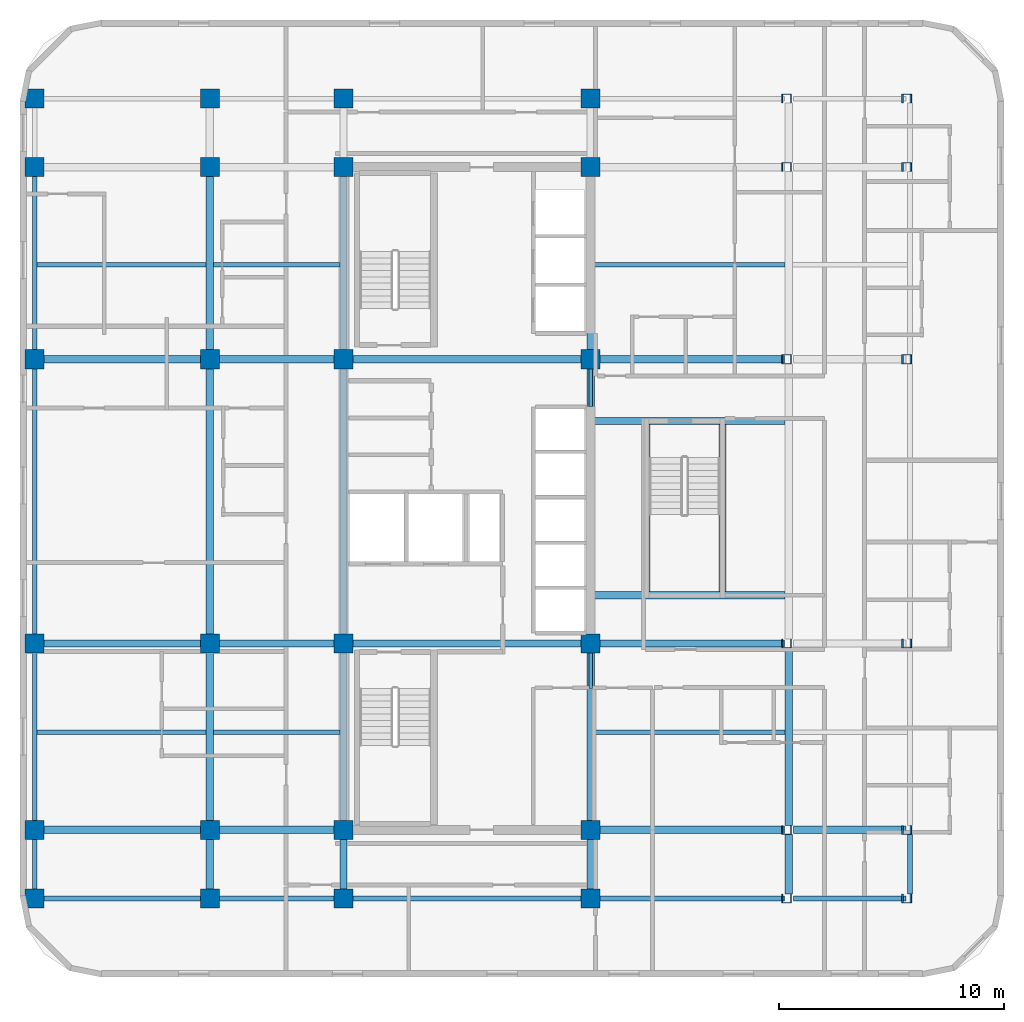
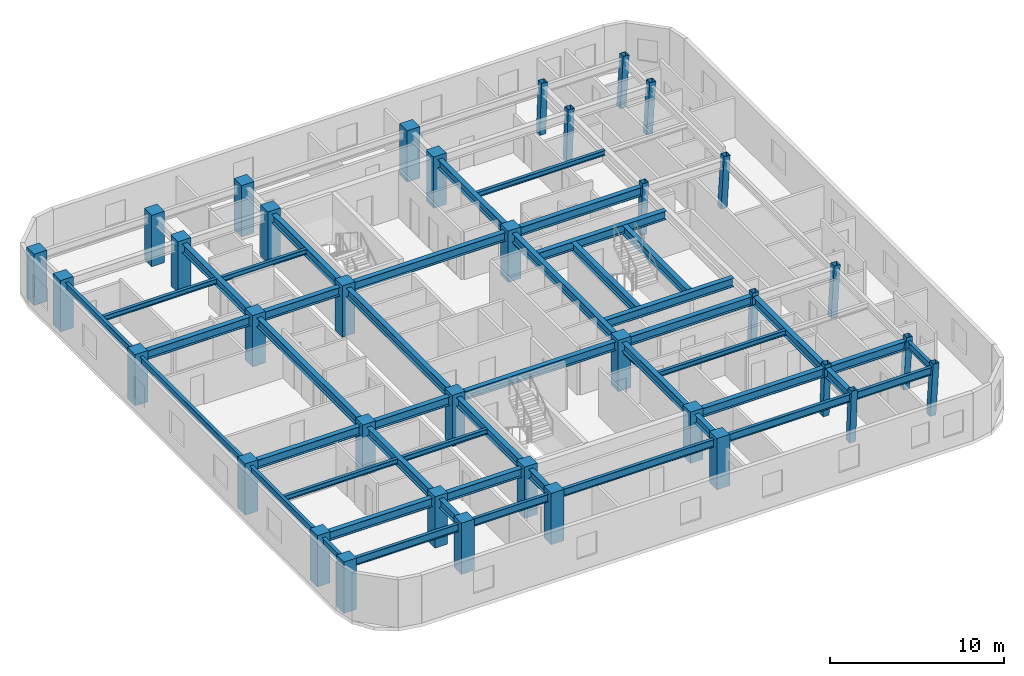
# One storey, part 1 of 9: 48 beams, 36 columns.
"""IFC4 building model written with IfcOpenShell, lengths in metres."""

from ifc_helpers import new_model, si_unit, direction, frame, origin, origin_2d, place, context, subcontext, project, spatial, rectangle, hollow_rectangle, i_section, extrude, material, material_profile, profile_set, type_object, element, save


model = new_model("IFC4")

# Units and contexts
model_context = context("Model", 3, precision=1e-05, world=origin(), true_north=direction((0.0, 1.0)))
body_context = subcontext(model_context, "Body", "Model", "MODEL_VIEW")
ifc_project = project(units=[si_unit("LENGTHUNIT", "METRE"), si_unit("AREAUNIT", "SQUARE_METRE"), si_unit("VOLUMEUNIT", "CUBIC_METRE"), si_unit("PLANEANGLEUNIT", "RADIAN"), si_unit("MASSUNIT", "GRAM", prefix="KILO")], contexts=[model_context])

# Site, building, storey
site_placement = place(None, origin())
site = spatial("IfcSite", under=ifc_project, at=site_placement, CompositionType="ELEMENT")
building_placement = place(site_placement, origin())
building = spatial("IfcBuilding", under=site, at=building_placement, Name="Ochreholt Gables", CompositionType="ELEMENT")
storey_placement = place(building_placement, frame((0.0, 0.0, 113.39990234375)))
storey = spatial("IfcBuildingStorey", under=building, at=storey_placement, Name="L29", CompositionType="ELEMENT", Elevation=113.39990234375)

# Columns
ifc_material_1 = material(Name="Steel CSA G40.21 350W", Category="steel")
ifc_material_profile_1 = material_profile(ifc_material_1, hollow_rectangle(XDim=0.406005859375, YDim=0.406005859375, WallThickness=0.01611328125, at=origin_2d()), Name="HSS406X406X16")
ifc_profile_set_1 = profile_set([ifc_material_profile_1], Name="Steel CSA G40.21 350W")
column_type_1 = type_object("IfcColumnType", Name="COL-HSS406-RAK", PredefinedType="COLUMN", material=ifc_profile_set_1)
for number, where, z_axis, x_axis, name in (
    (1, (43.905029296875, 9.25, 0.0), (0.034971136209, 0.0, 0.999388322742), (0.0, 1.0, 0.0), "L29 Column EMY2"),
    (2, (43.905029296875, 17.550048828125, 0.0), (0.034971136209, 0.0, 0.999388322742), (0.0, 1.0, 0.0), "L29 Column EMY3"),
    (3, (43.905029296875, 30.199951171875, 0.0), (0.034971136209, 0.0, 0.999388322742), (0.0, 1.0, 0.0), "L29 Column EMY4"),
    (4, (43.905029296875, 38.75, 0.0), (0.034971136209, 0.0, 0.999388322742), (0.0, 1.0, 0.0), "L29 Column EMY5"),
):
    element("IfcColumn", number, at=place(storey_placement, frame(where, z_axis=z_axis, x_axis=x_axis)), inside=storey, type_object=column_type_1, Name=name, PredefinedType="COLUMN", context=body_context, shape_type="SweptSolid", body=[
        extrude(hollow_rectangle(XDim=0.406005859375, YDim=0.406005859375, WallThickness=0.01611328125, at=origin_2d()), origin(), (0.0, 0.0, 1.0), 3.602294921875),
    ])
ifc_material_profile_2 = material_profile(ifc_material_1, hollow_rectangle(XDim=0.406005859375, YDim=0.406005859375, WallThickness=0.01611328125, at=origin_2d()), Name="HSS406X406X16")
ifc_profile_set_2 = profile_set([ifc_material_profile_2], Name="Steel CSA G40.21 350W")
column_type_2 = type_object("IfcColumnType", Name="COL-HSS406-RAKE", PredefinedType="COLUMN", material=ifc_profile_set_2)
for number, where, z_axis, x_axis, name in (
    (5, (43.905029296875, 6.199951171875, 0.0), (0.034971136209, 0.0, 0.999388322742), (0.0, 1.0, 0.0), "L29 Column EMY1"),
    (6, (43.905029296875, 41.800048828125, 0.0), (0.034971136209, 0.0, 0.999388322742), (0.0, 1.0, 0.0), "L29 Column EMY6"),
):
    element("IfcColumn", number, at=place(storey_placement, frame(where, z_axis=z_axis, x_axis=x_axis)), inside=storey, type_object=column_type_2, Name=name, PredefinedType="COLUMN", context=body_context, shape_type="SweptSolid", body=[
        extrude(hollow_rectangle(XDim=0.406005859375, YDim=0.406005859375, WallThickness=0.01611328125, at=origin_2d()), origin(), (0.0, 0.0, 1.0), 3.602294921875),
    ])
for number, where, z_axis, x_axis, name in (
    (7, (49.23388671875, 6.199951171875, 0.0), (0.057952080376, 0.0, 0.998319365925), (0.0, 1.0, 0.0), "L29 Column EEY1"),
    (8, (49.23388671875, 9.25, 0.0), (0.057952080376, 0.0, 0.998319365925), (0.0, 1.0, 0.0), "L29 Column EEY2"),
    (9, (49.23388671875, 17.550048828125, 0.0), (0.057952080376, 0.0, 0.998319365925), (0.0, 1.0, 0.0), "L29 Column EEY3"),
    (10, (49.23388671875, 30.199951171875, 0.0), (0.057952080376, 0.0, 0.998319365925), (0.0, 1.0, 0.0), "L29 Column EEY4"),
    (11, (49.23388671875, 38.75, 0.0), (0.057952080376, 0.0, 0.998319365925), (0.0, 1.0, 0.0), "L29 Column EEY5"),
    (12, (49.23388671875, 41.800048828125, 0.0), (0.057952080376, 0.0, 0.998319365925), (0.0, 1.0, 0.0), "L29 Column EEY6"),
):
    element("IfcColumn", number, at=place(storey_placement, frame(where, z_axis=z_axis, x_axis=x_axis)), inside=storey, type_object=column_type_2, Name=name, PredefinedType="COLUMN", context=body_context, shape_type="SweptSolid", body=[
        extrude(hollow_rectangle(XDim=0.406005859375, YDim=0.406005859375, WallThickness=0.01611328125, at=origin_2d()), origin(), (0.0, 0.0, 1.0), 3.606201171875),
    ])
ifc_material_2 = material(Name="Concrete 60 MPa", Category="concrete")
ifc_material_profile_3 = material_profile(ifc_material_2, rectangle(XDim=0.85009765625, YDim=0.85009765625, at=origin_2d()), Name="RC850X850")
ifc_profile_set_3 = profile_set([ifc_material_profile_3], Name="Concrete 60 MPa")
column_type_3 = type_object("IfcColumnType", Name="COL-RC850-EXT", PredefinedType="COLUMN", material=ifc_profile_set_3)
for number, where, z_axis, x_axis, name in (
    (13, (10.449951171875, 6.199951171875, 0.0), (0.0, 0.0, 1.0), (1.0, 0.0, 0.0), "L29 Column W2Y1"),
    (14, (10.449951171875, 9.25, 0.0), (0.0, 0.0, 1.0), (1.0, 0.0, 0.0), "L29 Column W2Y2"),
    (15, (10.449951171875, 17.550048828125, 0.0), (0.0, 0.0, 1.0), (1.0, 0.0, 0.0), "L29 Column W2Y3"),
    (16, (10.449951171875, 30.199951171875, 0.0), (0.0, 0.0, 1.0), (1.0, 0.0, 0.0), "L29 Column W2Y4"),
    (17, (10.449951171875, 38.75, 0.0), (0.0, 0.0, 1.0), (1.0, 0.0, 0.0), "L29 Column W2Y5"),
    (18, (10.449951171875, 41.800048828125, 0.0), (0.0, 0.0, 1.0), (1.0, 0.0, 0.0), "L29 Column W2Y6"),
    (19, (18.25, 6.199951171875, 0.0), (0.0, 0.0, 1.0), (1.0, 0.0, 0.0), "L29 Column W3Y1"),
    (20, (18.25, 41.800048828125, 0.0), (0.0, 0.0, 1.0), (1.0, 0.0, 0.0), "L29 Column W3Y6"),
    (21, (24.199951171875, 6.199951171875, 0.0), (0.0, 0.0, 1.0), (1.0, 0.0, 0.0), "L29 Column C1Y1"),
    (22, (24.199951171875, 41.800048828125, 0.0), (0.0, 0.0, 1.0), (1.0, 0.0, 0.0), "L29 Column C1Y6"),
    (23, (35.199951171875, 6.199951171875, 0.0), (0.0, 0.0, 1.0), (1.0, 0.0, 0.0), "L29 Column C2Y1"),
    (24, (35.199951171875, 41.800048828125, 0.0), (0.0, 0.0, 1.0), (1.0, 0.0, 0.0), "L29 Column C2Y6"),
):
    element("IfcColumn", number, at=place(storey_placement, frame(where, z_axis=z_axis, x_axis=x_axis)), inside=storey, type_object=column_type_3, Name=name, PredefinedType="COLUMN", context=body_context, shape_type="SweptSolid", body=[
        extrude(rectangle(XDim=0.85009765625, YDim=0.85009765625, at=origin_2d()), origin(), (0.0, 0.0, 1.0), 3.60009765625),
    ])
ifc_material_profile_4 = material_profile(ifc_material_2, rectangle(XDim=0.85009765625, YDim=0.85009765625, at=origin_2d()), Name="RC850X850")
ifc_profile_set_4 = profile_set([ifc_material_profile_4], Name="Concrete 60 MPa")
column_type_4 = type_object("IfcColumnType", Name="COL-RC850-INT", PredefinedType="COLUMN", material=ifc_profile_set_4)
for number, where, z_axis, x_axis, name in (
    (25, (18.25, 9.25, 0.0), (0.0, 0.0, 1.0), (1.0, 0.0, 0.0), "L29 Column W3Y2"),
    (26, (18.25, 17.550048828125, 0.0), (0.0, 0.0, 1.0), (1.0, 0.0, 0.0), "L29 Column W3Y3"),
    (27, (18.25, 30.199951171875, 0.0), (0.0, 0.0, 1.0), (1.0, 0.0, 0.0), "L29 Column W3Y4"),
    (28, (18.25, 38.75, 0.0), (0.0, 0.0, 1.0), (1.0, 0.0, 0.0), "L29 Column W3Y5"),
    (29, (24.199951171875, 9.25, 0.0), (0.0, 0.0, 1.0), (1.0, 0.0, 0.0), "L29 Column C1Y2"),
    (30, (24.199951171875, 17.550048828125, 0.0), (0.0, 0.0, 1.0), (1.0, 0.0, 0.0), "L29 Column C1Y3"),
    (31, (24.199951171875, 30.199951171875, 0.0), (0.0, 0.0, 1.0), (1.0, 0.0, 0.0), "L29 Column C1Y4"),
    (32, (24.199951171875, 38.75, 0.0), (0.0, 0.0, 1.0), (1.0, 0.0, 0.0), "L29 Column C1Y5"),
    (33, (35.199951171875, 9.25, 0.0), (0.0, 0.0, 1.0), (1.0, 0.0, 0.0), "L29 Column C2Y2"),
    (34, (35.199951171875, 17.550048828125, 0.0), (0.0, 0.0, 1.0), (1.0, 0.0, 0.0), "L29 Column C2Y3"),
    (35, (35.199951171875, 30.199951171875, 0.0), (0.0, 0.0, 1.0), (1.0, 0.0, 0.0), "L29 Column C2Y4"),
    (36, (35.199951171875, 38.75, 0.0), (0.0, 0.0, 1.0), (1.0, 0.0, 0.0), "L29 Column C2Y5"),
):
    element("IfcColumn", number, at=place(storey_placement, frame(where, z_axis=z_axis, x_axis=x_axis)), inside=storey, type_object=column_type_4, Name=name, PredefinedType="COLUMN", context=body_context, shape_type="SweptSolid", body=[
        extrude(rectangle(XDim=0.85009765625, YDim=0.85009765625, at=origin_2d()), origin(), (0.0, 0.0, 1.0), 3.60009765625),
    ])

# Beams
ifc_material_profile_5 = material_profile(ifc_material_1, i_section(OverallWidth=0.323974609375, OverallDepth=0.611083984375, WebThickness=0.0126953125, FlangeThickness=0.01904296875, at=origin_2d()), Name="W610X155")
ifc_profile_set_5 = profile_set([ifc_material_profile_5], Name="Steel CSA G40.21 350W")
beam_type_1 = type_object("IfcBeamType", Name="BM-G-W610A", PredefinedType="BEAM", material=ifc_profile_set_5)
beam_1_placement = place(storey_placement, frame((10.87451171875, 9.25, 3.044677734375), z_axis=(1.0, 0.0, 0.0), x_axis=(0.0, 1.0, 0.0)))
element("IfcBeam", 37, at=beam_1_placement, inside=storey, type_object=beam_type_1, Name="L29 Beam TBG-L29-W2W3-Y2", PredefinedType="BEAM", context=body_context, shape_type="SweptSolid", body=[
    extrude(i_section(OverallWidth=0.323974609375, OverallDepth=0.611083984375, WebThickness=0.0126953125, FlangeThickness=0.01904296875, at=origin_2d()), origin(), (0.0, 0.0, 1.0), 6.950927734375),
])
beam_2_placement = place(storey_placement, frame((18.674560546875, 9.25, 3.044677734375), z_axis=(1.0, 0.0, 0.0), x_axis=(0.0, 1.0, 0.0)))
element("IfcBeam", 38, at=beam_2_placement, inside=storey, type_object=beam_type_1, Name="L29 Beam TBG-L29-W3C1-Y2", PredefinedType="BEAM", context=body_context, shape_type="SweptSolid", body=[
    extrude(i_section(OverallWidth=0.323974609375, OverallDepth=0.611083984375, WebThickness=0.0126953125, FlangeThickness=0.01904296875, at=origin_2d()), origin(), (0.0, 0.0, 1.0), 5.100830078125),
])
beam_3_placement = place(storey_placement, frame((35.62451171875, 9.25, 3.044677734375), z_axis=(1.0, 0.0, 0.0), x_axis=(0.0, 1.0, 0.0)))
element("IfcBeam", 39, at=beam_3_placement, inside=storey, type_object=beam_type_1, Name="L29 Beam TBG-L29-C2EM-Y2", PredefinedType="BEAM", context=body_context, shape_type="SweptSolid", body=[
    extrude(i_section(OverallWidth=0.323974609375, OverallDepth=0.611083984375, WebThickness=0.0126953125, FlangeThickness=0.01904296875, at=origin_2d()), origin(), (0.0, 0.0, 1.0), 8.203857421875),
])
beam_4_placement = place(storey_placement, frame((44.233642578125, 9.25, 3.044677734375), z_axis=(1.0, 0.0, 0.0), x_axis=(0.0, 1.0, 0.0)))
element("IfcBeam", 40, at=beam_4_placement, inside=storey, type_object=beam_type_1, Name="L29 Beam TBG-L29-EMEE-Y2", PredefinedType="BEAM", context=body_context, shape_type="SweptSolid", body=[
    extrude(i_section(OverallWidth=0.323974609375, OverallDepth=0.611083984375, WebThickness=0.0126953125, FlangeThickness=0.01904296875, at=origin_2d()), origin(), (0.0, 0.0, 1.0), 5.006591796875),
])
beam_5_placement = place(storey_placement, frame((10.87451171875, 17.550048828125, 3.044677734375), z_axis=(1.0, 0.0, 0.0), x_axis=(0.0, 1.0, 0.0)))
element("IfcBeam", 41, at=beam_5_placement, inside=storey, type_object=beam_type_1, Name="L29 Beam TBG-L29-W2W3-Y3", PredefinedType="BEAM", context=body_context, shape_type="SweptSolid", body=[
    extrude(i_section(OverallWidth=0.323974609375, OverallDepth=0.611083984375, WebThickness=0.0126953125, FlangeThickness=0.01904296875, at=origin_2d()), origin(), (0.0, 0.0, 1.0), 6.950927734375),
])
beam_6_placement = place(storey_placement, frame((18.674560546875, 17.550048828125, 3.044677734375), z_axis=(1.0, 0.0, 0.0), x_axis=(0.0, 1.0, 0.0)))
element("IfcBeam", 42, at=beam_6_placement, inside=storey, type_object=beam_type_1, Name="L29 Beam TBG-L29-W3C1-Y3", PredefinedType="BEAM", context=body_context, shape_type="SweptSolid", body=[
    extrude(i_section(OverallWidth=0.323974609375, OverallDepth=0.611083984375, WebThickness=0.0126953125, FlangeThickness=0.01904296875, at=origin_2d()), origin(), (0.0, 0.0, 1.0), 5.100830078125),
])
beam_7_placement = place(storey_placement, frame((24.62451171875, 17.550048828125, 3.044677734375), z_axis=(1.0, 0.0, 0.0), x_axis=(0.0, 1.0, 0.0)))
element("IfcBeam", 43, at=beam_7_placement, inside=storey, type_object=beam_type_1, Name="L29 Beam TBG-L29-C1C2-Y3", PredefinedType="BEAM", context=body_context, shape_type="SweptSolid", body=[
    extrude(i_section(OverallWidth=0.323974609375, OverallDepth=0.611083984375, WebThickness=0.0126953125, FlangeThickness=0.01904296875, at=origin_2d()), origin(), (0.0, 0.0, 1.0), 10.15087890625),
])
beam_8_placement = place(storey_placement, frame((35.62451171875, 17.550048828125, 3.044677734375), z_axis=(1.0, 0.0, 0.0), x_axis=(0.0, 1.0, 0.0)))
element("IfcBeam", 44, at=beam_8_placement, inside=storey, type_object=beam_type_1, Name="L29 Beam TBG-L29-C2EM-Y3", PredefinedType="BEAM", context=body_context, shape_type="SweptSolid", body=[
    extrude(i_section(OverallWidth=0.323974609375, OverallDepth=0.611083984375, WebThickness=0.0126953125, FlangeThickness=0.01904296875, at=origin_2d()), origin(), (0.0, 0.0, 1.0), 8.203857421875),
])
beam_9_placement = place(storey_placement, frame((10.87451171875, 30.199951171875, 3.044677734375), z_axis=(1.0, 0.0, 0.0), x_axis=(0.0, 1.0, 0.0)))
element("IfcBeam", 45, at=beam_9_placement, inside=storey, type_object=beam_type_1, Name="L29 Beam TBG-L29-W2W3-Y4", PredefinedType="BEAM", context=body_context, shape_type="SweptSolid", body=[
    extrude(i_section(OverallWidth=0.323974609375, OverallDepth=0.611083984375, WebThickness=0.0126953125, FlangeThickness=0.01904296875, at=origin_2d()), origin(), (0.0, 0.0, 1.0), 6.950927734375),
])
beam_10_placement = place(storey_placement, frame((18.674560546875, 30.199951171875, 3.044677734375), z_axis=(1.0, 0.0, 0.0), x_axis=(0.0, 1.0, 0.0)))
element("IfcBeam", 46, at=beam_10_placement, inside=storey, type_object=beam_type_1, Name="L29 Beam TBG-L29-W3C1-Y4", PredefinedType="BEAM", context=body_context, shape_type="SweptSolid", body=[
    extrude(i_section(OverallWidth=0.323974609375, OverallDepth=0.611083984375, WebThickness=0.0126953125, FlangeThickness=0.01904296875, at=origin_2d()), origin(), (0.0, 0.0, 1.0), 5.100830078125),
])
beam_11_placement = place(storey_placement, frame((24.62451171875, 30.199951171875, 3.044677734375), z_axis=(1.0, 0.0, 0.0), x_axis=(0.0, 1.0, 0.0)))
element("IfcBeam", 47, at=beam_11_placement, inside=storey, type_object=beam_type_1, Name="L29 Beam TBG-L29-C1C2-Y4", PredefinedType="BEAM", context=body_context, shape_type="SweptSolid", body=[
    extrude(i_section(OverallWidth=0.323974609375, OverallDepth=0.611083984375, WebThickness=0.0126953125, FlangeThickness=0.01904296875, at=origin_2d()), origin(), (0.0, 0.0, 1.0), 10.15087890625),
])
beam_12_placement = place(storey_placement, frame((35.62451171875, 30.199951171875, 3.044677734375), z_axis=(1.0, 0.0, 0.0), x_axis=(0.0, 1.0, 0.0)))
element("IfcBeam", 48, at=beam_12_placement, inside=storey, type_object=beam_type_1, Name="L29 Beam TBG-L29-C2EM-Y4", PredefinedType="BEAM", context=body_context, shape_type="SweptSolid", body=[
    extrude(i_section(OverallWidth=0.323974609375, OverallDepth=0.611083984375, WebThickness=0.0126953125, FlangeThickness=0.01904296875, at=origin_2d()), origin(), (0.0, 0.0, 1.0), 8.203857421875),
])
beam_13_placement = place(storey_placement, frame((18.25, 6.62451171875, 3.044677734375), z_axis=(0.0, 1.0, 0.0), x_axis=(-1.0, 0.0, 0.0)))
element("IfcBeam", 49, at=beam_13_placement, inside=storey, type_object=beam_type_1, Name="L29 Beam TBN-L29-W3-Y1Y2", PredefinedType="BEAM", context=body_context, shape_type="SweptSolid", body=[
    extrude(i_section(OverallWidth=0.323974609375, OverallDepth=0.611083984375, WebThickness=0.0126953125, FlangeThickness=0.01904296875, at=origin_2d()), origin(), (0.0, 0.0, 1.0), 2.200927734375),
])
beam_14_placement = place(storey_placement, frame((18.25, 9.674560546875, 3.044677734375), z_axis=(0.0, 1.0, 0.0), x_axis=(-1.0, 0.0, 0.0)))
element("IfcBeam", 50, at=beam_14_placement, inside=storey, type_object=beam_type_1, Name="L29 Beam TBN-L29-W3-Y2Y3", PredefinedType="BEAM", context=body_context, shape_type="SweptSolid", body=[
    extrude(i_section(OverallWidth=0.323974609375, OverallDepth=0.611083984375, WebThickness=0.0126953125, FlangeThickness=0.01904296875, at=origin_2d()), origin(), (0.0, 0.0, 1.0), 7.450927734375),
])
beam_15_placement = place(storey_placement, frame((18.25, 17.974609375, 3.044677734375), z_axis=(0.0, 1.0, 0.0), x_axis=(-1.0, 0.0, 0.0)))
element("IfcBeam", 51, at=beam_15_placement, inside=storey, type_object=beam_type_1, Name="L29 Beam TBN-L29-W3-Y3Y4", PredefinedType="BEAM", context=body_context, shape_type="SweptSolid", body=[
    extrude(i_section(OverallWidth=0.323974609375, OverallDepth=0.611083984375, WebThickness=0.0126953125, FlangeThickness=0.01904296875, at=origin_2d()), origin(), (0.0, 0.0, 1.0), 11.80078125),
])
beam_16_placement = place(storey_placement, frame((18.25, 30.62451171875, 3.044677734375), z_axis=(0.0, 1.0, 0.0), x_axis=(-1.0, 0.0, 0.0)))
element("IfcBeam", 52, at=beam_16_placement, inside=storey, type_object=beam_type_1, Name="L29 Beam TBN-L29-W3-Y4Y5", PredefinedType="BEAM", context=body_context, shape_type="SweptSolid", body=[
    extrude(i_section(OverallWidth=0.323974609375, OverallDepth=0.611083984375, WebThickness=0.0126953125, FlangeThickness=0.01904296875, at=origin_2d()), origin(), (0.0, 0.0, 1.0), 7.700927734375),
])
beam_17_placement = place(storey_placement, frame((24.199951171875, 6.62451171875, 3.044677734375), z_axis=(0.0, 1.0, 0.0), x_axis=(-1.0, 0.0, 0.0)))
element("IfcBeam", 53, at=beam_17_placement, inside=storey, type_object=beam_type_1, Name="L29 Beam TBN-L29-C1-Y1Y2", PredefinedType="BEAM", context=body_context, shape_type="SweptSolid", body=[
    extrude(i_section(OverallWidth=0.323974609375, OverallDepth=0.611083984375, WebThickness=0.0126953125, FlangeThickness=0.01904296875, at=origin_2d()), origin(), (0.0, 0.0, 1.0), 2.200927734375),
])
beam_18_placement = place(storey_placement, frame((24.199951171875, 9.674560546875, 3.044677734375), z_axis=(0.0, 1.0, 0.0), x_axis=(-1.0, 0.0, 0.0)))
element("IfcBeam", 54, at=beam_18_placement, inside=storey, type_object=beam_type_1, Name="L29 Beam TBN-L29-C1-Y2Y3", PredefinedType="BEAM", context=body_context, shape_type="SweptSolid", body=[
    extrude(i_section(OverallWidth=0.323974609375, OverallDepth=0.611083984375, WebThickness=0.0126953125, FlangeThickness=0.01904296875, at=origin_2d()), origin(), (0.0, 0.0, 1.0), 7.450927734375),
])
beam_19_placement = place(storey_placement, frame((24.199951171875, 17.974609375, 3.044677734375), z_axis=(0.0, 1.0, 0.0), x_axis=(-1.0, 0.0, 0.0)))
element("IfcBeam", 55, at=beam_19_placement, inside=storey, type_object=beam_type_1, Name="L29 Beam TBN-L29-C1-Y3Y4", PredefinedType="BEAM", context=body_context, shape_type="SweptSolid", body=[
    extrude(i_section(OverallWidth=0.323974609375, OverallDepth=0.611083984375, WebThickness=0.0126953125, FlangeThickness=0.01904296875, at=origin_2d()), origin(), (0.0, 0.0, 1.0), 11.80078125),
])
beam_20_placement = place(storey_placement, frame((24.199951171875, 30.62451171875, 3.044677734375), z_axis=(0.0, 1.0, 0.0), x_axis=(-1.0, 0.0, 0.0)))
element("IfcBeam", 56, at=beam_20_placement, inside=storey, type_object=beam_type_1, Name="L29 Beam TBN-L29-C1-Y4Y5", PredefinedType="BEAM", context=body_context, shape_type="SweptSolid", body=[
    extrude(i_section(OverallWidth=0.323974609375, OverallDepth=0.611083984375, WebThickness=0.0126953125, FlangeThickness=0.01904296875, at=origin_2d()), origin(), (0.0, 0.0, 1.0), 7.700927734375),
])
beam_21_placement = place(storey_placement, frame((35.199951171875, 6.62451171875, 3.044677734375), z_axis=(0.0, 1.0, 0.0), x_axis=(-1.0, 0.0, 0.0)))
element("IfcBeam", 57, at=beam_21_placement, inside=storey, type_object=beam_type_1, Name="L29 Beam TBN-L29-C2-Y1Y2", PredefinedType="BEAM", context=body_context, shape_type="SweptSolid", body=[
    extrude(i_section(OverallWidth=0.323974609375, OverallDepth=0.611083984375, WebThickness=0.0126953125, FlangeThickness=0.01904296875, at=origin_2d()), origin(), (0.0, 0.0, 1.0), 2.200927734375),
])
beam_22_placement = place(storey_placement, frame((35.199951171875, 9.674560546875, 3.044677734375), z_axis=(0.0, 1.0, 0.0), x_axis=(-1.0, 0.0, 0.0)))
element("IfcBeam", 58, at=beam_22_placement, inside=storey, type_object=beam_type_1, Name="L29 Beam TBN-L29-C2-Y2Y3", PredefinedType="BEAM", context=body_context, shape_type="SweptSolid", body=[
    extrude(i_section(OverallWidth=0.323974609375, OverallDepth=0.611083984375, WebThickness=0.0126953125, FlangeThickness=0.01904296875, at=origin_2d()), origin(), (0.0, 0.0, 1.0), 7.450927734375),
])
beam_23_placement = place(storey_placement, frame((35.199951171875, 17.974609375, 3.044677734375), z_axis=(0.0, 1.0, 0.0), x_axis=(-1.0, 0.0, 0.0)))
element("IfcBeam", 59, at=beam_23_placement, inside=storey, type_object=beam_type_1, Name="L29 Beam TBN-L29-C2-Y3Y4", PredefinedType="BEAM", context=body_context, shape_type="SweptSolid", body=[
    extrude(i_section(OverallWidth=0.323974609375, OverallDepth=0.611083984375, WebThickness=0.0126953125, FlangeThickness=0.01904296875, at=origin_2d()), origin(), (0.0, 0.0, 1.0), 11.80078125),
])
beam_24_placement = place(storey_placement, frame((35.199951171875, 30.62451171875, 3.044677734375), z_axis=(0.0, 1.0, 0.0), x_axis=(-1.0, 0.0, 0.0)))
element("IfcBeam", 60, at=beam_24_placement, inside=storey, type_object=beam_type_1, Name="L29 Beam TBN-L29-C2-Y4Y5", PredefinedType="BEAM", context=body_context, shape_type="SweptSolid", body=[
    extrude(i_section(OverallWidth=0.323974609375, OverallDepth=0.611083984375, WebThickness=0.0126953125, FlangeThickness=0.01904296875, at=origin_2d()), origin(), (0.0, 0.0, 1.0), 7.700927734375),
])
beam_25_placement = place(storey_placement, frame((44.013427734375, 6.402587890625, 3.044677734375), z_axis=(0.0, 1.0, 0.0), x_axis=(-1.0, 0.0, 0.0)))
element("IfcBeam", 61, at=beam_25_placement, inside=storey, type_object=beam_type_1, Name="L29 Beam TBN-L29-EM-Y1Y2", PredefinedType="BEAM", context=body_context, shape_type="SweptSolid", body=[
    extrude(i_section(OverallWidth=0.323974609375, OverallDepth=0.611083984375, WebThickness=0.0126953125, FlangeThickness=0.01904296875, at=origin_2d()), origin(), (0.0, 0.0, 1.0), 2.644775390625),
])
beam_26_placement = place(storey_placement, frame((44.013427734375, 9.45263671875, 3.044677734375), z_axis=(0.0, 1.0, 0.0), x_axis=(-1.0, 0.0, 0.0)))
element("IfcBeam", 62, at=beam_26_placement, inside=storey, type_object=beam_type_1, Name="L29 Beam TBN-L29-EM-Y2Y3", PredefinedType="BEAM", context=body_context, shape_type="SweptSolid", body=[
    extrude(i_section(OverallWidth=0.323974609375, OverallDepth=0.611083984375, WebThickness=0.0126953125, FlangeThickness=0.01904296875, at=origin_2d()), origin(), (0.0, 0.0, 1.0), 7.894775390625),
])
for number, where, z_axis, x_axis, name in (
    (63, (35.361572265625, 19.68994140625, 3.044677734375), (1.0, 0.0, 0.0), (0.0, 1.0, 0.0), "L29 Beam TBH-L29-ST-C3-FSTUS"),
    (64, (35.361572265625, 27.449951171875, 3.044677734375), (1.0, 0.0, 0.0), (0.0, 1.0, 0.0), "L29 Beam TBH-L29-ST-C3-FSTUN"),
):
    element("IfcBeam", number, at=place(storey_placement, frame(where, z_axis=z_axis, x_axis=x_axis)), inside=storey, type_object=beam_type_1, Name=name, PredefinedType="BEAM", context=body_context, shape_type="SweptSolid", body=[
        extrude(i_section(OverallWidth=0.323974609375, OverallDepth=0.611083984375, WebThickness=0.0126953125, FlangeThickness=0.01904296875, at=origin_2d()), origin(), (0.0, 0.0, 1.0), 8.490234375),
    ])
for number, where, z_axis, x_axis, name in (
    (65, (37.68994140625, 19.8515625, 3.044677734375), (0.0, 1.0, 0.0), (-1.0, 0.0, 0.0), "L29 Beam TBT-L29-ST-C3-FSTUW"),
    (66, (41.070068359375, 19.8515625, 3.044677734375), (0.0, 1.0, 0.0), (-1.0, 0.0, 0.0), "L29 Beam TBT-L29-ST-C3-FSTUE"),
):
    element("IfcBeam", number, at=place(storey_placement, frame(where, z_axis=z_axis, x_axis=x_axis)), inside=storey, type_object=beam_type_1, Name=name, PredefinedType="BEAM", context=body_context, shape_type="SweptSolid", body=[
        extrude(i_section(OverallWidth=0.323974609375, OverallDepth=0.611083984375, WebThickness=0.0126953125, FlangeThickness=0.01904296875, at=origin_2d()), origin(), (0.0, 0.0, 1.0), 7.436767578125),
    ])
ifc_material_profile_6 = material_profile(ifc_material_1, i_section(OverallWidth=0.205078125, OverallDepth=0.35400390625, WebThickness=0.009521484375, FlangeThickness=0.016845703125, at=origin_2d()), Name="W360X79")
ifc_profile_set_6 = profile_set([ifc_material_profile_6], Name="Steel CSA G40.21 350W")
beam_type_2 = type_object("IfcBeamType", Name="BM-J-W360A", PredefinedType="JOIST", material=ifc_profile_set_6)
beam_27_placement = place(storey_placement, frame((10.55419921875, 13.60009765625, 3.173095703125), z_axis=(1.0, 0.0, 0.0), x_axis=(0.0, 1.0, 0.0)))
element("IfcBeam", 67, at=beam_27_placement, inside=storey, type_object=beam_type_2, Name="L29 Beam TBJ-L29-J1-W2W3", PredefinedType="JOIST", context=body_context, shape_type="SweptSolid", body=[
    extrude(i_section(OverallWidth=0.205078125, OverallDepth=0.35400390625, WebThickness=0.009521484375, FlangeThickness=0.016845703125, at=origin_2d()), origin(), (0.0, 0.0, 1.0), 7.5341796875),
])
beam_28_placement = place(storey_placement, frame((18.41162109375, 13.60009765625, 3.173095703125), z_axis=(1.0, 0.0, 0.0), x_axis=(0.0, 1.0, 0.0)))
element("IfcBeam", 68, at=beam_28_placement, inside=storey, type_object=beam_type_2, Name="L29 Beam TBJ-L29-J1-W3C1", PredefinedType="JOIST", context=body_context, shape_type="SweptSolid", body=[
    extrude(i_section(OverallWidth=0.205078125, OverallDepth=0.35400390625, WebThickness=0.009521484375, FlangeThickness=0.016845703125, at=origin_2d()), origin(), (0.0, 0.0, 1.0), 5.626708984375),
])
beam_29_placement = place(storey_placement, frame((35.361572265625, 13.60009765625, 3.173095703125), z_axis=(1.0, 0.0, 0.0), x_axis=(0.0, 1.0, 0.0)))
element("IfcBeam", 69, at=beam_29_placement, inside=storey, type_object=beam_type_2, Name="L29 Beam TBJ-L29-J1-C2EM", PredefinedType="JOIST", context=body_context, shape_type="SweptSolid", body=[
    extrude(i_section(OverallWidth=0.205078125, OverallDepth=0.35400390625, WebThickness=0.009521484375, FlangeThickness=0.016845703125, at=origin_2d()), origin(), (0.0, 0.0, 1.0), 8.490234375),
])
beam_30_placement = place(storey_placement, frame((10.55419921875, 34.39990234375, 3.173095703125), z_axis=(1.0, 0.0, 0.0), x_axis=(0.0, 1.0, 0.0)))
element("IfcBeam", 70, at=beam_30_placement, inside=storey, type_object=beam_type_2, Name="L29 Beam TBJ-L29-J2-W2W3", PredefinedType="JOIST", context=body_context, shape_type="SweptSolid", body=[
    extrude(i_section(OverallWidth=0.205078125, OverallDepth=0.35400390625, WebThickness=0.009521484375, FlangeThickness=0.016845703125, at=origin_2d()), origin(), (0.0, 0.0, 1.0), 7.5341796875),
])
beam_31_placement = place(storey_placement, frame((18.41162109375, 34.39990234375, 3.173095703125), z_axis=(1.0, 0.0, 0.0), x_axis=(0.0, 1.0, 0.0)))
element("IfcBeam", 71, at=beam_31_placement, inside=storey, type_object=beam_type_2, Name="L29 Beam TBJ-L29-J2-W3C1", PredefinedType="JOIST", context=body_context, shape_type="SweptSolid", body=[
    extrude(i_section(OverallWidth=0.205078125, OverallDepth=0.35400390625, WebThickness=0.009521484375, FlangeThickness=0.016845703125, at=origin_2d()), origin(), (0.0, 0.0, 1.0), 5.626708984375),
])
beam_32_placement = place(storey_placement, frame((35.361572265625, 34.39990234375, 3.173095703125), z_axis=(1.0, 0.0, 0.0), x_axis=(0.0, 1.0, 0.0)))
element("IfcBeam", 72, at=beam_32_placement, inside=storey, type_object=beam_type_2, Name="L29 Beam TBJ-L29-J2-C2EM", PredefinedType="JOIST", context=body_context, shape_type="SweptSolid", body=[
    extrude(i_section(OverallWidth=0.205078125, OverallDepth=0.35400390625, WebThickness=0.009521484375, FlangeThickness=0.016845703125, at=origin_2d()), origin(), (0.0, 0.0, 1.0), 8.490234375),
])
ifc_material_profile_7 = material_profile(ifc_material_1, i_section(OverallWidth=0.1650390625, OverallDepth=0.200927734375, WebThickness=0.006103515625, FlangeThickness=0.01025390625, at=origin_2d()), Name="W200X36")
ifc_profile_set_7 = profile_set([ifc_material_profile_7], Name="Steel CSA G40.21 350W")
beam_type_3 = type_object("IfcBeamType", Name="BM-LIN-W200", PredefinedType="LINTEL", material=ifc_profile_set_7)
beam_33_placement = place(storey_placement, frame((35.199951171875, 15.550048828125, 2.638671875), z_axis=(0.0, 1.0, 0.0), x_axis=(-1.0, 0.0, 0.0)))
element("IfcBeam", 73, at=beam_33_placement, inside=storey, type_object=beam_type_3, Name="L29 Core Coupling Lintel CPS", PredefinedType="LINTEL", context=body_context, shape_type="SweptSolid", body=[
    extrude(i_section(OverallWidth=0.1650390625, OverallDepth=0.200927734375, WebThickness=0.006103515625, FlangeThickness=0.01025390625, at=origin_2d()), origin(), (0.0, 0.0, 1.0), 1.574951171875),
])
beam_34_placement = place(storey_placement, frame((35.199951171875, 28.10009765625, 2.638671875), z_axis=(0.0, 1.0, 0.0), x_axis=(-1.0, 0.0, 0.0)))
element("IfcBeam", 74, at=beam_34_placement, inside=storey, type_object=beam_type_3, Name="L29 Core Coupling Lintel CPN", PredefinedType="LINTEL", context=body_context, shape_type="SweptSolid", body=[
    extrude(i_section(OverallWidth=0.1650390625, OverallDepth=0.200927734375, WebThickness=0.006103515625, FlangeThickness=0.01025390625, at=origin_2d()), origin(), (0.0, 0.0, 1.0), 1.6748046875),
])
ifc_material_profile_8 = material_profile(ifc_material_1, i_section(OverallWidth=0.208984375, OverallDepth=0.532958984375, WebThickness=0.01025390625, FlangeThickness=0.015625, at=origin_2d()), Name="W530X92")
ifc_profile_set_8 = profile_set([ifc_material_profile_8], Name="Steel CSA G40.21 350W")
beam_type_4 = type_object("IfcBeamType", Name="BM-SP-W530B", PredefinedType="SPANDREL", material=ifc_profile_set_8)
beam_35_placement = place(storey_placement, frame((10.87451171875, 6.199951171875, 3.08349609375), z_axis=(1.0, 0.0, 0.0), x_axis=(0.0, 1.0, 0.0)))
element("IfcBeam", 75, at=beam_35_placement, inside=storey, type_object=beam_type_4, Name="L29 Beam TBG-L29-W2W3-Y1", PredefinedType="SPANDREL", context=body_context, shape_type="SweptSolid", body=[
    extrude(i_section(OverallWidth=0.208984375, OverallDepth=0.532958984375, WebThickness=0.01025390625, FlangeThickness=0.015625, at=origin_2d()), origin(), (0.0, 0.0, 1.0), 6.950927734375),
])
beam_36_placement = place(storey_placement, frame((18.674560546875, 6.199951171875, 3.08349609375), z_axis=(1.0, 0.0, 0.0), x_axis=(0.0, 1.0, 0.0)))
element("IfcBeam", 76, at=beam_36_placement, inside=storey, type_object=beam_type_4, Name="L29 Beam TBG-L29-W3C1-Y1", PredefinedType="SPANDREL", context=body_context, shape_type="SweptSolid", body=[
    extrude(i_section(OverallWidth=0.208984375, OverallDepth=0.532958984375, WebThickness=0.01025390625, FlangeThickness=0.015625, at=origin_2d()), origin(), (0.0, 0.0, 1.0), 5.100830078125),
])
beam_37_placement = place(storey_placement, frame((24.62451171875, 6.199951171875, 3.08349609375), z_axis=(1.0, 0.0, 0.0), x_axis=(0.0, 1.0, 0.0)))
element("IfcBeam", 77, at=beam_37_placement, inside=storey, type_object=beam_type_4, Name="L29 Beam TBG-L29-C1C2-Y1", PredefinedType="SPANDREL", context=body_context, shape_type="SweptSolid", body=[
    extrude(i_section(OverallWidth=0.208984375, OverallDepth=0.532958984375, WebThickness=0.01025390625, FlangeThickness=0.015625, at=origin_2d()), origin(), (0.0, 0.0, 1.0), 10.15087890625),
])
beam_38_placement = place(storey_placement, frame((35.62451171875, 6.199951171875, 3.08349609375), z_axis=(1.0, 0.0, 0.0), x_axis=(0.0, 1.0, 0.0)))
element("IfcBeam", 78, at=beam_38_placement, inside=storey, type_object=beam_type_4, Name="L29 Beam TBG-L29-C2EM-Y1", PredefinedType="SPANDREL", context=body_context, shape_type="SweptSolid", body=[
    extrude(i_section(OverallWidth=0.208984375, OverallDepth=0.532958984375, WebThickness=0.01025390625, FlangeThickness=0.015625, at=origin_2d()), origin(), (0.0, 0.0, 1.0), 8.203857421875),
])
beam_39_placement = place(storey_placement, frame((44.233642578125, 6.199951171875, 3.08349609375), z_axis=(1.0, 0.0, 0.0), x_axis=(0.0, 1.0, 0.0)))
element("IfcBeam", 79, at=beam_39_placement, inside=storey, type_object=beam_type_4, Name="L29 Beam TBG-L29-EMEE-Y1", PredefinedType="SPANDREL", context=body_context, shape_type="SweptSolid", body=[
    extrude(i_section(OverallWidth=0.208984375, OverallDepth=0.532958984375, WebThickness=0.01025390625, FlangeThickness=0.015625, at=origin_2d()), origin(), (0.0, 0.0, 1.0), 5.006591796875),
])
beam_40_placement = place(storey_placement, frame((10.449951171875, 6.62451171875, 3.08349609375), z_axis=(0.0, 1.0, 0.0), x_axis=(-1.0, 0.0, 0.0)))
element("IfcBeam", 80, at=beam_40_placement, inside=storey, type_object=beam_type_4, Name="L29 Beam TBN-L29-W2-Y1Y2", PredefinedType="SPANDREL", context=body_context, shape_type="SweptSolid", body=[
    extrude(i_section(OverallWidth=0.208984375, OverallDepth=0.532958984375, WebThickness=0.01025390625, FlangeThickness=0.015625, at=origin_2d()), origin(), (0.0, 0.0, 1.0), 2.200927734375),
])
beam_41_placement = place(storey_placement, frame((10.449951171875, 9.674560546875, 3.08349609375), z_axis=(0.0, 1.0, 0.0), x_axis=(-1.0, 0.0, 0.0)))
element("IfcBeam", 81, at=beam_41_placement, inside=storey, type_object=beam_type_4, Name="L29 Beam TBN-L29-W2-Y2Y3", PredefinedType="SPANDREL", context=body_context, shape_type="SweptSolid", body=[
    extrude(i_section(OverallWidth=0.208984375, OverallDepth=0.532958984375, WebThickness=0.01025390625, FlangeThickness=0.015625, at=origin_2d()), origin(), (0.0, 0.0, 1.0), 7.450927734375),
])
beam_42_placement = place(storey_placement, frame((10.449951171875, 17.974609375, 3.08349609375), z_axis=(0.0, 1.0, 0.0), x_axis=(-1.0, 0.0, 0.0)))
element("IfcBeam", 82, at=beam_42_placement, inside=storey, type_object=beam_type_4, Name="L29 Beam TBN-L29-W2-Y3Y4", PredefinedType="SPANDREL", context=body_context, shape_type="SweptSolid", body=[
    extrude(i_section(OverallWidth=0.208984375, OverallDepth=0.532958984375, WebThickness=0.01025390625, FlangeThickness=0.015625, at=origin_2d()), origin(), (0.0, 0.0, 1.0), 11.80078125),
])
beam_43_placement = place(storey_placement, frame((10.449951171875, 30.62451171875, 3.08349609375), z_axis=(0.0, 1.0, 0.0), x_axis=(-1.0, 0.0, 0.0)))
element("IfcBeam", 83, at=beam_43_placement, inside=storey, type_object=beam_type_4, Name="L29 Beam TBN-L29-W2-Y4Y5", PredefinedType="SPANDREL", context=body_context, shape_type="SweptSolid", body=[
    extrude(i_section(OverallWidth=0.208984375, OverallDepth=0.532958984375, WebThickness=0.01025390625, FlangeThickness=0.015625, at=origin_2d()), origin(), (0.0, 0.0, 1.0), 7.700927734375),
])
beam_44_placement = place(storey_placement, frame((49.413818359375, 6.402587890625, 3.08349609375), z_axis=(0.0, 1.0, 0.0), x_axis=(-1.0, 0.0, 0.0)))
element("IfcBeam", 84, at=beam_44_placement, inside=storey, type_object=beam_type_4, Name="L29 Beam TBN-L29-EE-Y1Y2", PredefinedType="SPANDREL", context=body_context, shape_type="SweptSolid", body=[
    extrude(i_section(OverallWidth=0.208984375, OverallDepth=0.532958984375, WebThickness=0.01025390625, FlangeThickness=0.015625, at=origin_2d()), origin(), (0.0, 0.0, 1.0), 2.644775390625),
])

save(model, "model.ifc")
